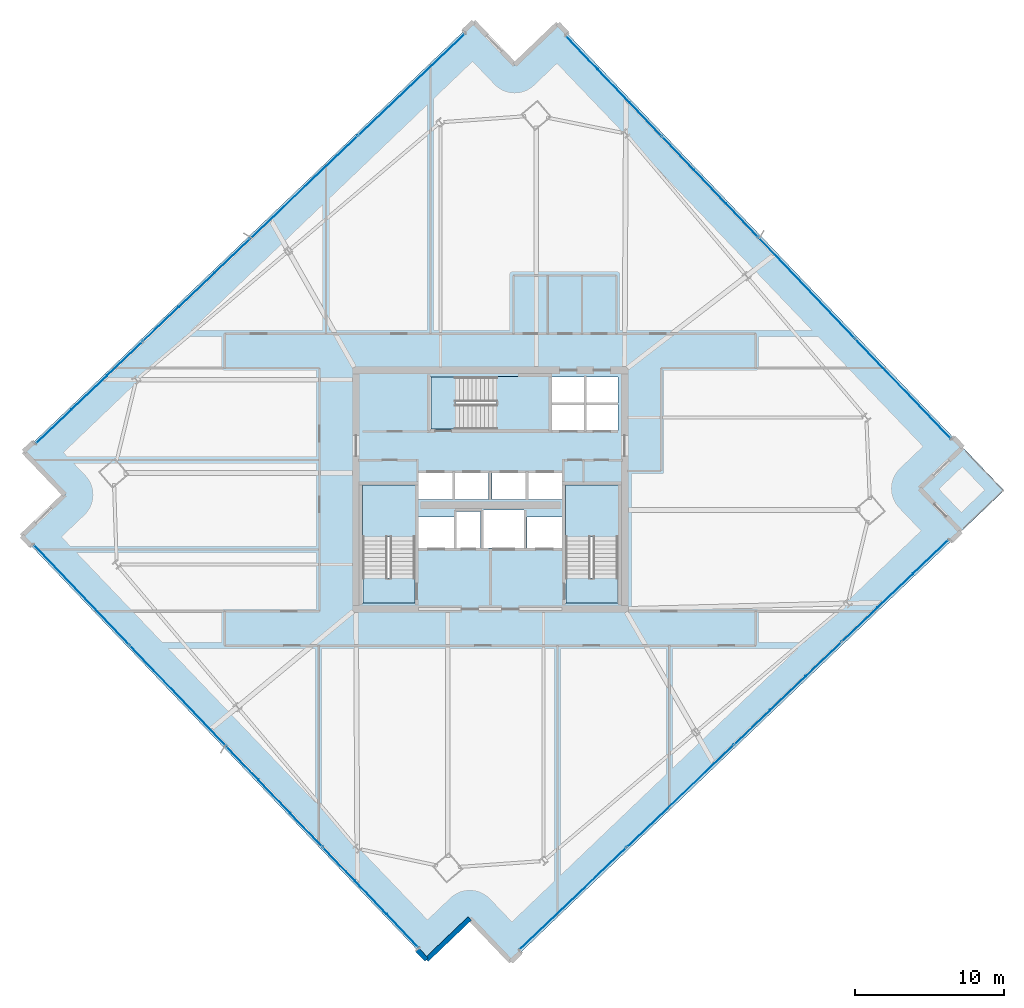
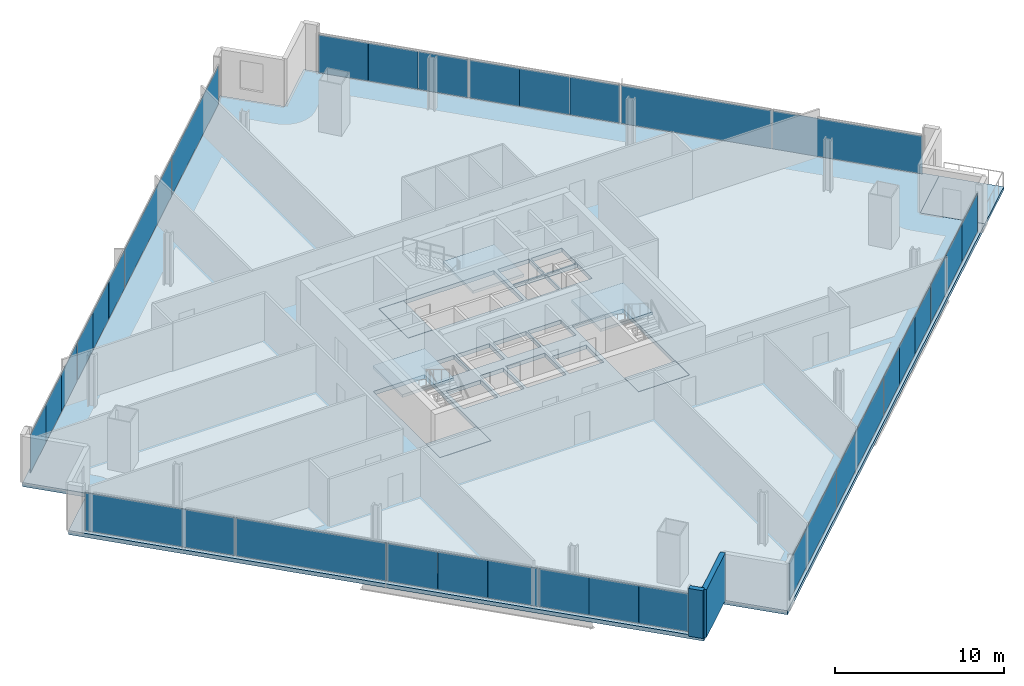
# One storey, part 24 of 33: 32 plates, 8 slabs, 2 walls, 7 elements without a shape of their own.
"""IFC4 building model written with IfcOpenShell, lengths in metres."""

from ifc_helpers import new_model, si_unit, direction, frame, frame_2d, origin, origin_2d, place, context, subcontext, project, spatial, polyline, rectangle, outline, extrude, source, transform, mapped, material, layer, layer_set, type_object, element, aggregate, save


model = new_model("IFC4")

# Units and contexts
model_context = context("Model", 3, precision=1e-05, world=origin(), true_north=direction((0.0, 1.0)))
body_context = subcontext(model_context, "Body", "Model", "MODEL_VIEW")
ifc_project = project(units=[si_unit("LENGTHUNIT", "METRE"), si_unit("AREAUNIT", "SQUARE_METRE"), si_unit("VOLUMEUNIT", "CUBIC_METRE"), si_unit("PLANEANGLEUNIT", "RADIAN"), si_unit("MASSUNIT", "GRAM", prefix="KILO")], contexts=[model_context])

# Site, building, storey
site_placement = place(None, origin())
site = spatial("IfcSite", under=ifc_project, at=site_placement, CompositionType="ELEMENT")
building_placement = place(site_placement, origin())
building = spatial("IfcBuilding", under=site, at=building_placement, Name="Haldenkirk Collegiate Tower", CompositionType="ELEMENT")
storey_placement = place(building_placement, frame((0.0, 0.0, 174.449951171875)))
storey = spatial("IfcBuildingStorey", under=building, at=storey_placement, Name="L43", CompositionType="ELEMENT", Elevation=174.449951171875)

# Slab
ifc_material_1 = material(Name="Concrete f'c 40 MPa", Category="concrete")
ifc_layer_1 = layer(ifc_material_1, 0.2900390625)
ifc_layer_set_1 = layer_set([ifc_layer_1], Name="Concrete f'c 40 MPa")
slab_type_1 = type_object("IfcSlabType", Name="SLB-FLR-290", PredefinedType="FLOOR", material=ifc_layer_set_1)
slab_1_placement = place(storey_placement, frame((0.0, 0.0, -0.2900390625)))
element("IfcSlab", 1, at=slab_1_placement, inside=storey, type_object=slab_type_1, Name="L43 composite structural floor slab", PredefinedType="FLOOR", context=body_context, shape_type="SweptSolid", body=[
    extrude(outline(polyline([(37.386474609375, -5.629638671875), (67.5341796875, 23.18017578125), (64.7705078125, 26.072021484375), (67.66259765625, 28.835693359375), (40.528076171875, 57.22998046875), (37.63623046875, 54.466552734375), (34.872802734375, 57.3583984375), (4.724853515625, 28.548583984375), (7.488525390625, 25.65673828125), (4.5966796875, 22.893310546875), (31.73095703125, -5.501220703125), (34.622802734375, -2.73779296875), (37.386474609375, -5.629638671875)]), holes=[polyline([(27.449951171875, 18.39990234375), (30.949951171875, 18.39990234375), (30.949951171875, 26.300048828125), (27.449951171875, 26.300048828125), (27.449951171875, 18.39990234375)]), polyline([(41.050048828125, 18.39990234375), (44.550048828125, 18.39990234375), (44.550048828125, 26.300048828125), (41.050048828125, 26.300048828125), (41.050048828125, 18.39990234375)]), polyline([(32.0, 30.050048828125), (39.89990234375, 30.050048828125), (39.89990234375, 33.550048828125), (32.0, 33.550048828125), (32.0, 30.050048828125)]), polyline([(33.75, 22.10009765625), (35.35009765625, 22.10009765625), (35.35009765625, 24.550048828125), (33.75, 24.550048828125), (33.75, 22.10009765625)]), polyline([(40.14990234375, 29.949951171875), (42.320068359375, 29.949951171875), (42.320068359375, 31.699951171875), (40.14990234375, 31.699951171875), (40.14990234375, 29.949951171875)]), polyline([(42.419921875, 29.949951171875), (44.550048828125, 29.949951171875), (44.550048828125, 31.699951171875), (42.419921875, 31.699951171875), (42.419921875, 29.949951171875)]), polyline([(40.14990234375, 31.800048828125), (42.320068359375, 31.800048828125), (42.320068359375, 33.550048828125), (40.14990234375, 33.550048828125), (40.14990234375, 31.800048828125)]), polyline([(42.419921875, 31.800048828125), (44.550048828125, 31.800048828125), (44.550048828125, 33.550048828125), (42.419921875, 33.550048828125), (42.419921875, 31.800048828125)]), polyline([(31.199951171875, 25.35009765625), (33.47998046875, 25.35009765625), (33.47998046875, 27.14990234375), (31.199951171875, 27.14990234375), (31.199951171875, 25.35009765625)]), polyline([(33.60009765625, 25.35009765625), (35.8798828125, 25.35009765625), (35.8798828125, 27.14990234375), (33.60009765625, 27.14990234375), (33.60009765625, 25.35009765625)]), polyline([(36.1201171875, 25.35009765625), (38.39990234375, 25.35009765625), (38.39990234375, 27.14990234375), (36.1201171875, 27.14990234375), (36.1201171875, 25.35009765625)]), polyline([(38.52001953125, 25.35009765625), (40.800048828125, 25.35009765625), (40.800048828125, 27.14990234375), (38.52001953125, 27.14990234375), (38.52001953125, 25.35009765625)]), polyline([(31.199951171875, 22.10009765625), (33.550048828125, 22.10009765625), (33.550048828125, 24.14990234375), (31.199951171875, 24.14990234375), (31.199951171875, 22.10009765625)]), polyline([(38.449951171875, 22.10009765625), (40.800048828125, 22.10009765625), (40.800048828125, 24.14990234375), (38.449951171875, 24.14990234375), (38.449951171875, 22.10009765625)]), polyline([(35.550048828125, 22.10009765625), (38.25, 22.10009765625), (38.25, 24.64990234375), (35.550048828125, 24.64990234375), (35.550048828125, 22.10009765625)])]), origin(), (0.0, 0.0, 1.0), 0.2900390625),
])

# Stair, slab
stair_type = type_object("IfcStairType", Name="STR-DOGLEG-1650", PredefinedType="HALF_TURN_STAIR", material=ifc_material_1)
stair_1_placement = place(storey_placement, origin())
stair_1 = element("IfcStair", 2, at=stair_1_placement, inside=storey, type_object=stair_type, Name="L43 Core Exit Stair ST-1", PredefinedType="HALF_TURN_STAIR")
ifc_layer_2 = layer(ifc_material_1, 0.199951171875)
ifc_layer_set_2 = layer_set([ifc_layer_2], Name="Concrete f'c 40 MPa")
slab_type_2 = type_object("IfcSlabType", Name="SLB-LANDING-200", PredefinedType="LANDING", material=ifc_layer_set_2)
slab_2_placement = place(storey_placement, frame((0.0, 0.0, 1.675048828125)))
slab_2 = element("IfcSlab", 3, at=slab_2_placement, type_object=slab_type_2, Name="ST-1 landing 1", PredefinedType="LANDING", context=body_context, shape_type="SweptSolid", body=[
    extrude(outline(polyline([(30.97509765625, 22.824951171875), (27.425048828125, 22.824951171875), (27.425048828125, 26.324951171875), (30.97509765625, 26.324951171875), (30.97509765625, 22.824951171875)])), origin(), (0.0, 0.0, 1.0), 0.199951171875),
])
aggregate(stair_1, [slab_2])

stair_2_placement = place(storey_placement, origin())
stair_2 = element("IfcStair", 4, at=stair_2_placement, inside=storey, type_object=stair_type, Name="L43 Core Exit Stair ST-2", PredefinedType="HALF_TURN_STAIR")
slab_3_placement = place(storey_placement, frame((0.0, 0.0, 1.675048828125)))
slab_3 = element("IfcSlab", 5, at=slab_3_placement, type_object=slab_type_2, Name="ST-2 landing 1", PredefinedType="LANDING", context=body_context, shape_type="SweptSolid", body=[
    extrude(outline(polyline([(44.574951171875, 22.824951171875), (41.02490234375, 22.824951171875), (41.02490234375, 26.324951171875), (44.574951171875, 26.324951171875), (44.574951171875, 22.824951171875)])), origin(), (0.0, 0.0, 1.0), 0.199951171875),
])
aggregate(stair_2, [slab_3])

stair_3_placement = place(storey_placement, origin())
stair_3 = element("IfcStair", 6, at=stair_3_placement, inside=storey, type_object=stair_type, Name="L43 Core Exit Stair ST-3", PredefinedType="HALF_TURN_STAIR")
slab_4_placement = place(storey_placement, frame((0.0, 0.0, 1.675048828125)))
slab_4 = element("IfcSlab", 7, at=slab_4_placement, type_object=slab_type_2, Name="ST-3 landing 1", PredefinedType="LANDING", context=body_context, shape_type="SweptSolid", body=[
    extrude(outline(polyline([(36.425048828125, 30.02490234375), (36.425048828125, 33.574951171875), (39.925048828125, 33.574951171875), (39.925048828125, 30.02490234375), (36.425048828125, 30.02490234375)])), origin(), (0.0, 0.0, 1.0), 0.199951171875),
])
aggregate(stair_3, [slab_4])

# Slabs
ifc_layer_3 = layer(ifc_material_1, 0.25)
ifc_layer_set_3 = layer_set([ifc_layer_3], Name="Concrete f'c 40 MPa")
slab_type_3 = type_object("IfcSlabType", Name="SLB-STAIRLAND-250", PredefinedType="LANDING", material=ifc_layer_set_3)
slab_5_placement = place(storey_placement, frame((0.0, 0.0, -0.25)))
element("IfcSlab", 8, at=slab_5_placement, inside=storey, type_object=slab_type_3, Name="L43 stair ST1 structural floor landing slab", PredefinedType="LANDING", context=body_context, shape_type="SweptSolid", body=[
    extrude(outline(polyline([(27.4599609375, 18.409912109375), (30.93994140625, 18.409912109375), (30.93994140625, 20.080078125), (27.4599609375, 20.080078125), (27.4599609375, 18.409912109375)])), origin(), (0.0, 0.0, 1.0), 0.25),
])
slab_6_placement = place(storey_placement, frame((0.0, 0.0, -0.25)))
element("IfcSlab", 9, at=slab_6_placement, inside=storey, type_object=slab_type_3, Name="L43 stair ST2 structural floor landing slab", PredefinedType="LANDING", context=body_context, shape_type="SweptSolid", body=[
    extrude(outline(polyline([(41.06005859375, 18.409912109375), (44.5400390625, 18.409912109375), (44.5400390625, 20.080078125), (41.06005859375, 20.080078125), (41.06005859375, 18.409912109375)])), origin(), (0.0, 0.0, 1.0), 0.25),
])
slab_7_placement = place(storey_placement, frame((0.0, 0.0, -0.25)))
element("IfcSlab", 10, at=slab_7_placement, inside=storey, type_object=slab_type_3, Name="L43 stair ST3 structural floor landing slab", PredefinedType="LANDING", context=body_context, shape_type="SweptSolid", body=[
    extrude(outline(polyline([(32.010009765625, 30.06005859375), (33.679931640625, 30.06005859375), (33.679931640625, 33.5400390625), (32.010009765625, 33.5400390625), (32.010009765625, 30.06005859375)])), origin(), (0.0, 0.0, 1.0), 0.25),
])
ifc_layer_4 = layer(ifc_material_1, 0.22998046875)
ifc_layer_set_4 = layer_set([ifc_layer_4], Name="Concrete f'c 40 MPa")
slab_type_4 = type_object("IfcSlabType", Name="SLB-TERR-SPIRAL-230", PredefinedType="FLOOR", material=ifc_layer_set_4)
slab_8_placement = place(storey_placement, frame((0.0, 0.0, -0.22998046875)))
element("IfcSlab", 11, at=slab_8_placement, inside=storey, type_object=slab_type_4, Name="L43 spiralling corner terrace slab", PredefinedType="FLOOR", context=body_context, shape_type="SweptSolid", body=[
    extrude(outline(polyline([(67.5341796875, 23.18017578125), (70.426025390625, 25.943603515625), (67.66259765625, 28.835693359375), (64.7705078125, 26.072021484375), (67.5341796875, 23.18017578125)])), origin(), (0.0, 0.0, 1.0), 0.22998046875),
])

# Curtain wall, plates
ifc_material_2 = material(Name="Anodised architectural bronze aluminium", Category="aluminium")
curtain_wall_type_1 = type_object("IfcCurtainWallType", Name="CW-SYS2-CONCAVE", PredefinedType="USERDEFINED", material=ifc_material_2)
curtain_wall_1_placement = place(storey_placement, origin())
curtain_wall_1 = element("IfcCurtainWall", 12, at=curtain_wall_1_placement, inside=storey, type_object=curtain_wall_type_1, Name="L43 South concave recessed bronze-anodised curtain wall", ObjectType="UNITISED CURTAIN WALL", PredefinedType="USERDEFINED")
ifc_material_3 = material(Name="Low-E argon triple insulating glass", Category="glass")
ifc_layer_5 = layer(ifc_material_3, 0.0419921875)
ifc_layer_set_5 = layer_set([ifc_layer_5], Name="Low-E argon triple insulating glass")
plate_type_1 = type_object("IfcPlateType", Name="CW-PNL-02", PredefinedType="CURTAIN_PANEL", material=ifc_layer_set_5)
shared_shape_1 = source(origin(), body_context, "Body", "SweptSolid", [
    extrude(rectangle(XDim=9.862548828125, YDim=0.0419921875, at=origin_2d()), origin(), (0.0, 0.0, 1.0), 2.760986328125),
])
plate_1_placement = place(storey_placement, frame((41.531982421875, -1.4189453125, 0.0751953125), z_axis=(0.0, 0.0, 1.0), x_axis=(-0.722966182425, -0.690883419305, 0.0)))
plate_1 = element("IfcPlate", 13, at=plate_1_placement, type_object=plate_type_1, Name="CW-02 panel 4.1", PredefinedType="CURTAIN_PANEL", context=body_context, shape_type="MappedRepresentation", body=[
    mapped(shared_shape_1, transform((0.0, 0.0, 0.0), x_axis=(1.0, 0.0, 0.0), y_axis=(0.0, 1.0, 0.0), z_axis=(0.0, 0.0, 1.0), scale=1.0)),
])
ifc_material_4 = material(Name="Bronze-anodised insulated aluminium spandrel panel", Category="aluminium")
ifc_layer_6 = layer(ifc_material_4, 0.0419921875)
ifc_layer_set_6 = layer_set([ifc_layer_6], Name="Bronze-anodised insulated aluminium spandrel panel")
plate_type_2 = type_object("IfcPlateType", Name="CW-SPD-02", PredefinedType="CURTAIN_PANEL", material=ifc_layer_set_6)
shared_shape_2 = source(origin(), body_context, "Body", "SweptSolid", [
    extrude(rectangle(XDim=3.28759765625, YDim=0.0419921875, at=origin_2d()), origin(), (0.0, 0.0, 1.0), 2.760986328125),
])
plate_2_placement = place(storey_placement, frame((58.331787109375, 14.635498046875, 0.0751953125), z_axis=(0.0, 0.0, 1.0), x_axis=(-0.722966182425, -0.690883419305, 0.0)))
plate_2 = element("IfcPlate", 14, at=plate_2_placement, type_object=plate_type_2, Name="CW-02 spandrel panel 2.1a", PredefinedType="CURTAIN_PANEL", context=body_context, shape_type="MappedRepresentation", body=[
    mapped(shared_shape_2, transform((0.0, 0.0, 0.0), x_axis=(1.0, 0.0, 0.0), y_axis=(0.0, 1.0, 0.0), z_axis=(0.0, 0.0, 1.0), scale=1.0)),
])
plate_3_placement = place(storey_placement, frame((53.55126953125, 10.06689453125, 0.0751953125), z_axis=(0.0, 0.0, 1.0), x_axis=(-0.722966182425, -0.690883419305, 0.0)))
plate_3 = element("IfcPlate", 15, at=plate_3_placement, type_object=plate_type_2, Name="CW-02 spandrel panel 2.1c", PredefinedType="CURTAIN_PANEL", context=body_context, shape_type="MappedRepresentation", body=[
    mapped(shared_shape_2, transform((0.0, 0.0, 0.0), x_axis=(1.0, 0.0, 0.0), y_axis=(0.0, 1.0, 0.0), z_axis=(0.0, 0.0, 1.0), scale=1.0)),
])
shared_shape_3 = source(origin(), body_context, "Body", "SweptSolid", [
    extrude(rectangle(XDim=3.27490234375, YDim=0.0419921875, at=origin_2d()), origin(), (0.0, 0.0, 1.0), 2.760986328125),
])
plate_4_placement = place(storey_placement, frame((65.52099609375, 21.50537109375, 0.0751953125), z_axis=(0.0, 0.0, 1.0), x_axis=(-0.722966182425, -0.690883419305, 0.0)))
plate_4 = element("IfcPlate", 16, at=plate_4_placement, type_object=plate_type_1, Name="CW-02 panel 1.1a", PredefinedType="CURTAIN_PANEL", context=body_context, shape_type="MappedRepresentation", body=[
    mapped(shared_shape_3, transform((0.0, 0.0, 0.0), x_axis=(1.0, 0.0, 0.0), y_axis=(0.0, 1.0, 0.0), z_axis=(0.0, 0.0, 1.0), scale=1.0)),
])
plate_5_placement = place(storey_placement, frame((60.75830078125, 16.9541015625, 0.0751953125), z_axis=(0.0, 0.0, 1.0), x_axis=(-0.722966182425, -0.690883419305, 0.0)))
plate_5 = element("IfcPlate", 17, at=plate_5_placement, type_object=plate_type_2, Name="CW-02 spandrel panel 1.1c", PredefinedType="CURTAIN_PANEL", context=body_context, shape_type="MappedRepresentation", body=[
    mapped(shared_shape_3, transform((0.0, 0.0, 0.0), x_axis=(1.0, 0.0, 0.0), y_axis=(0.0, 1.0, 0.0), z_axis=(0.0, 0.0, 1.0), scale=1.0)),
])
plate_6_placement = place(storey_placement, frame((55.941650390625, 12.351318359375, 0.0751953125), z_axis=(0.0, 0.0, 1.0), x_axis=(-0.722966182425, -0.690883419305, 0.0)))
plate_6 = element("IfcPlate", 18, at=plate_6_placement, type_object=plate_type_2, Name="CW-02 spandrel panel 2.1b", PredefinedType="CURTAIN_PANEL", context=body_context, shape_type="MappedRepresentation", body=[
    mapped(shared_shape_3, transform((0.0, 0.0, 0.0), x_axis=(1.0, 0.0, 0.0), y_axis=(0.0, 1.0, 0.0), z_axis=(0.0, 0.0, 1.0), scale=1.0)),
])

# Curtain wall, plate
curtain_wall_type_2 = type_object("IfcCurtainWallType", Name="CW-SYS1-CONVEX-LOW", PredefinedType="USERDEFINED", material=ifc_material_2)
curtain_wall_2_placement = place(storey_placement, origin())
curtain_wall_2 = element("IfcCurtainWall", 19, at=curtain_wall_2_placement, inside=storey, type_object=curtain_wall_type_2, Name="L43 Lower tower convex bronze-framed unitised curtain wall", ObjectType="UNITISED CURTAIN WALL", PredefinedType="USERDEFINED")
ifc_layer_7 = layer(ifc_material_3, 0.0439453125)
ifc_layer_set_7 = layer_set([ifc_layer_7], Name="Low-E argon triple insulating glass")
plate_type_3 = type_object("IfcPlateType", Name="CW-PNL-1A", PredefinedType="CURTAIN_PANEL", material=ifc_layer_set_7)
shared_shape_4 = source(origin(), body_context, "Body", "SweptSolid", [
    extrude(rectangle(XDim=9.248779296875, YDim=0.0439453125, at=origin_2d()), origin(), (0.0, 0.0, 1.0), 2.7509765625),
])
plate_7_placement = place(storey_placement, frame((63.660400390625, 32.762939453125, 0.080078125), z_axis=(0.0, 0.0, 1.0), x_axis=(0.690883405185, -0.722966195918, 0.0)))
plate_7 = element("IfcPlate", 20, at=plate_7_placement, type_object=plate_type_3, Name="CW-1A panel 4.1", PredefinedType="CURTAIN_PANEL", context=body_context, shape_type="MappedRepresentation", body=[
    mapped(shared_shape_4, transform((0.0, 0.0, 0.0), x_axis=(1.0, 0.0, 0.0), y_axis=(0.0, 1.0, 0.0), z_axis=(0.0, 0.0, 1.0), scale=1.0)),
])

curtain_wall_3_placement = place(storey_placement, origin())
curtain_wall_3 = element("IfcCurtainWall", 21, at=curtain_wall_3_placement, inside=storey, type_object=curtain_wall_type_2, Name="L43 Lower tower convex bronze-framed unitised curtain wall", ObjectType="UNITISED CURTAIN WALL", PredefinedType="USERDEFINED")
plate_8_placement = place(storey_placement, frame((8.5986328125, 18.9658203125, 0.080078125), z_axis=(0.0, 0.0, 1.0), x_axis=(-0.690882072342, 0.722967469611, 0.0)))
plate_8 = element("IfcPlate", 22, at=plate_8_placement, type_object=plate_type_3, Name="CW-1A panel 4.1", PredefinedType="CURTAIN_PANEL", context=body_context, shape_type="MappedRepresentation", body=[
    mapped(shared_shape_4, transform((0.0, 0.0, 0.0), x_axis=(1.0, 0.0, 0.0), y_axis=(0.0, 1.0, 0.0), z_axis=(0.0, 0.0, 1.0), scale=1.0)),
])

# Plate
ifc_layer_8 = layer(ifc_material_4, 0.0439453125)
ifc_layer_set_8 = layer_set([ifc_layer_8], Name="Bronze-anodised insulated aluminium spandrel panel")
plate_type_4 = type_object("IfcPlateType", Name="CW-SPD-1A", PredefinedType="CURTAIN_PANEL", material=ifc_layer_set_8)
shared_shape_5 = source(origin(), body_context, "Body", "SweptSolid", [
    extrude(rectangle(XDim=3.083740234375, YDim=0.0439453125, at=origin_2d()), origin(), (0.0, 0.0, 1.0), 2.7509765625),
])
plate_9_placement = place(storey_placement, frame((48.58544921875, 48.5380859375, 0.080078125), z_axis=(0.0, 0.0, 1.0), x_axis=(0.690883405185, -0.722966195918, 0.0)))
plate_9 = element("IfcPlate", 23, at=plate_9_placement, type_object=plate_type_4, Name="CW-1A spandrel panel 2.1a", PredefinedType="CURTAIN_PANEL", context=body_context, shape_type="MappedRepresentation", body=[
    mapped(shared_shape_5, transform((0.0, 0.0, 0.0), x_axis=(1.0, 0.0, 0.0), y_axis=(0.0, 1.0, 0.0), z_axis=(0.0, 0.0, 1.0), scale=1.0)),
])

plate_10_placement = place(storey_placement, frame((52.872314453125, 44.052001953125, 0.080078125), z_axis=(0.0, 0.0, 1.0), x_axis=(0.690883405185, -0.722966195918, 0.0)))
plate_10 = element("IfcPlate", 24, at=plate_10_placement, type_object=plate_type_4, Name="CW-1A spandrel panel 2.1c", PredefinedType="CURTAIN_PANEL", context=body_context, shape_type="MappedRepresentation", body=[
    mapped(shared_shape_5, transform((0.0, 0.0, 0.0), x_axis=(1.0, 0.0, 0.0), y_axis=(0.0, 1.0, 0.0), z_axis=(0.0, 0.0, 1.0), scale=1.0)),
])

plate_11_placement = place(storey_placement, frame((23.673583984375, 3.190673828125, 0.080078125), z_axis=(0.0, 0.0, 1.0), x_axis=(-0.690882072342, 0.722967469611, 0.0)))
plate_11 = element("IfcPlate", 25, at=plate_11_placement, type_object=plate_type_4, Name="CW-1A spandrel panel 2.1a", PredefinedType="CURTAIN_PANEL", context=body_context, shape_type="MappedRepresentation", body=[
    mapped(shared_shape_5, transform((0.0, 0.0, 0.0), x_axis=(1.0, 0.0, 0.0), y_axis=(0.0, 1.0, 0.0), z_axis=(0.0, 0.0, 1.0), scale=1.0)),
])

plate_12_placement = place(storey_placement, frame((19.38671875, 7.6767578125, 0.080078125), z_axis=(0.0, 0.0, 1.0), x_axis=(-0.690882072342, 0.722967469611, 0.0)))
plate_12 = element("IfcPlate", 26, at=plate_12_placement, type_object=plate_type_4, Name="CW-1A spandrel panel 2.1c", PredefinedType="CURTAIN_PANEL", context=body_context, shape_type="MappedRepresentation", body=[
    mapped(shared_shape_5, transform((0.0, 0.0, 0.0), x_axis=(1.0, 0.0, 0.0), y_axis=(0.0, 1.0, 0.0), z_axis=(0.0, 0.0, 1.0), scale=1.0)),
])

shared_shape_6 = source(origin(), body_context, "Body", "SweptSolid", [
    extrude(rectangle(XDim=3.0712890625, YDim=0.0439453125, at=origin_2d()), origin(), (0.0, 0.0, 1.0), 2.7509765625),
])
plate_13_placement = place(storey_placement, frame((50.728759765625, 46.295166015625, 0.080078125), z_axis=(0.0, 0.0, 1.0), x_axis=(0.690883405185, -0.722966195918, 0.0)))
plate_13 = element("IfcPlate", 27, at=plate_13_placement, type_object=plate_type_4, Name="CW-1A spandrel panel 2.1b", PredefinedType="CURTAIN_PANEL", context=body_context, shape_type="MappedRepresentation", body=[
    mapped(shared_shape_6, transform((0.0, 0.0, 0.0), x_axis=(1.0, 0.0, 0.0), y_axis=(0.0, 1.0, 0.0), z_axis=(0.0, 0.0, 1.0), scale=1.0)),
])

plate_14_placement = place(storey_placement, frame((21.5302734375, 5.433837890625, 0.080078125), z_axis=(0.0, 0.0, 1.0), x_axis=(-0.690882072342, 0.722967469611, 0.0)))
plate_14 = element("IfcPlate", 28, at=plate_14_placement, type_object=plate_type_4, Name="CW-1A spandrel panel 2.1b", PredefinedType="CURTAIN_PANEL", context=body_context, shape_type="MappedRepresentation", body=[
    mapped(shared_shape_6, transform((0.0, 0.0, 0.0), x_axis=(1.0, 0.0, 0.0), y_axis=(0.0, 1.0, 0.0), z_axis=(0.0, 0.0, 1.0), scale=1.0)),
])

# Curtain wall, plates
curtain_wall_4_placement = place(storey_placement, origin())
curtain_wall_4 = element("IfcCurtainWall", 29, at=curtain_wall_4_placement, inside=storey, type_object=curtain_wall_type_2, Name="L43 Lower tower convex bronze-framed unitised curtain wall", ObjectType="UNITISED CURTAIN WALL", PredefinedType="USERDEFINED")
shared_shape_7 = source(origin(), body_context, "Body", "SweptSolid", [
    extrude(rectangle(XDim=9.85498046875, YDim=0.0439453125, at=origin_2d()), origin(), (0.0, 0.0, 1.0), 2.7509765625),
])
plate_15_placement = place(storey_placement, frame((30.72607421875, 53.14697265625, 0.080078125), z_axis=(0.0, 0.0, 1.0), x_axis=(0.722967378717, 0.690882167458, 0.0)))
plate_15 = element("IfcPlate", 30, at=plate_15_placement, type_object=plate_type_3, Name="CW-1A panel 4.1", PredefinedType="CURTAIN_PANEL", context=body_context, shape_type="MappedRepresentation", body=[
    mapped(shared_shape_7, transform((0.0, 0.0, 0.0), x_axis=(1.0, 0.0, 0.0), y_axis=(0.0, 1.0, 0.0), z_axis=(0.0, 0.0, 1.0), scale=1.0)),
])
shared_shape_8 = source(origin(), body_context, "Body", "SweptSolid", [
    extrude(rectangle(XDim=3.285888671875, YDim=0.0439453125, at=origin_2d()), origin(), (0.0, 0.0, 1.0), 2.7509765625),
])
plate_16_placement = place(storey_placement, frame((13.92822265625, 37.094482421875, 0.080078125), z_axis=(0.0, 0.0, 1.0), x_axis=(0.722967378717, 0.690882167458, 0.0)))
plate_16 = element("IfcPlate", 31, at=plate_16_placement, type_object=plate_type_4, Name="CW-1A spandrel panel 2.1a", PredefinedType="CURTAIN_PANEL", context=body_context, shape_type="MappedRepresentation", body=[
    mapped(shared_shape_8, transform((0.0, 0.0, 0.0), x_axis=(1.0, 0.0, 0.0), y_axis=(0.0, 1.0, 0.0), z_axis=(0.0, 0.0, 1.0), scale=1.0)),
])
plate_17_placement = place(storey_placement, frame((18.70654296875, 41.660888671875, 0.080078125), z_axis=(0.0, 0.0, 1.0), x_axis=(0.722967378717, 0.690882167458, 0.0)))
plate_17 = element("IfcPlate", 32, at=plate_17_placement, type_object=plate_type_4, Name="CW-1A spandrel panel 2.1c", PredefinedType="CURTAIN_PANEL", context=body_context, shape_type="MappedRepresentation", body=[
    mapped(shared_shape_8, transform((0.0, 0.0, 0.0), x_axis=(1.0, 0.0, 0.0), y_axis=(0.0, 1.0, 0.0), z_axis=(0.0, 0.0, 1.0), scale=1.0)),
])
shared_shape_9 = source(origin(), body_context, "Body", "SweptSolid", [
    extrude(rectangle(XDim=3.273193359375, YDim=0.0439453125, at=origin_2d()), origin(), (0.0, 0.0, 1.0), 2.7509765625),
])
plate_18_placement = place(storey_placement, frame((16.3173828125, 39.377685546875, 0.080078125), z_axis=(0.0, 0.0, 1.0), x_axis=(0.722967378717, 0.690882167458, 0.0)))
plate_18 = element("IfcPlate", 33, at=plate_18_placement, type_object=plate_type_4, Name="CW-1A spandrel panel 2.1b", PredefinedType="CURTAIN_PANEL", context=body_context, shape_type="MappedRepresentation", body=[
    mapped(shared_shape_9, transform((0.0, 0.0, 0.0), x_axis=(1.0, 0.0, 0.0), y_axis=(0.0, 1.0, 0.0), z_axis=(0.0, 0.0, 1.0), scale=1.0)),
])

# Plate
shared_shape_10 = source(origin(), body_context, "Body", "SweptSolid", [
    extrude(rectangle(XDim=9.89990234375, YDim=0.0419921875, at=origin_2d()), origin(), (0.0, 0.0, 1.0), 2.760986328125),
])
plate_19_placement = place(storey_placement, frame((48.72998046875, 5.459716796875, 0.0751953125), z_axis=(0.0, 0.0, 1.0), x_axis=(-0.722966182425, -0.690883419305, 0.0)))
plate_19 = element("IfcPlate", 34, at=plate_19_placement, type_object=plate_type_1, Name="CW-02 panel 3.1", PredefinedType="CURTAIN_PANEL", context=body_context, shape_type="MappedRepresentation", body=[
    mapped(shared_shape_10, transform((0.0, 0.0, 0.0), x_axis=(1.0, 0.0, 0.0), y_axis=(0.0, 1.0, 0.0), z_axis=(0.0, 0.0, 1.0), scale=1.0)),
])

shared_shape_11 = source(origin(), body_context, "Body", "SweptSolid", [
    extrude(rectangle(XDim=9.288818359375, YDim=0.0439453125, at=origin_2d()), origin(), (0.0, 0.0, 1.0), 2.7509765625),
])
plate_20_placement = place(storey_placement, frame((57.20166015625, 39.521728515625, 0.080078125), z_axis=(0.0, 0.0, 1.0), x_axis=(0.690883405185, -0.722966195918, 0.0)))
plate_20 = element("IfcPlate", 35, at=plate_20_placement, type_object=plate_type_3, Name="CW-1A panel 3.1", PredefinedType="CURTAIN_PANEL", context=body_context, shape_type="MappedRepresentation", body=[
    mapped(shared_shape_11, transform((0.0, 0.0, 0.0), x_axis=(1.0, 0.0, 0.0), y_axis=(0.0, 1.0, 0.0), z_axis=(0.0, 0.0, 1.0), scale=1.0)),
])

plate_21_placement = place(storey_placement, frame((15.0576171875, 12.20703125, 0.080078125), z_axis=(0.0, 0.0, 1.0), x_axis=(-0.690882072342, 0.722967469611, 0.0)))
plate_21 = element("IfcPlate", 36, at=plate_21_placement, type_object=plate_type_3, Name="CW-1A panel 3.1", PredefinedType="CURTAIN_PANEL", context=body_context, shape_type="MappedRepresentation", body=[
    mapped(shared_shape_11, transform((0.0, 0.0, 0.0), x_axis=(1.0, 0.0, 0.0), y_axis=(0.0, 1.0, 0.0), z_axis=(0.0, 0.0, 1.0), scale=1.0)),
])

shared_shape_12 = source(origin(), body_context, "Body", "SweptSolid", [
    extrude(rectangle(XDim=9.89501953125, YDim=0.0439453125, at=origin_2d()), origin(), (0.0, 0.0, 1.0), 2.7509765625),
])
plate_22_placement = place(storey_placement, frame((23.529052734375, 46.269287109375, 0.080078125), z_axis=(0.0, 0.0, 1.0), x_axis=(0.722967378717, 0.690882167458, 0.0)))
plate_22 = element("IfcPlate", 37, at=plate_22_placement, type_object=plate_type_3, Name="CW-1A panel 3.1", PredefinedType="CURTAIN_PANEL", context=body_context, shape_type="MappedRepresentation", body=[
    mapped(shared_shape_12, transform((0.0, 0.0, 0.0), x_axis=(1.0, 0.0, 0.0), y_axis=(0.0, 1.0, 0.0), z_axis=(0.0, 0.0, 1.0), scale=1.0)),
])

shared_shape_13 = source(origin(), body_context, "Body", "SweptSolid", [
    extrude(rectangle(XDim=3.262451171875, YDim=0.0419921875, at=origin_2d()), origin(), (0.0, 0.0, 1.0), 2.760986328125),
])
plate_23_placement = place(storey_placement, frame((63.1396484375, 19.229736328125, 0.0751953125), z_axis=(0.0, 0.0, 1.0), x_axis=(-0.722966182425, -0.690883419305, 0.0)))
plate_23 = element("IfcPlate", 38, at=plate_23_placement, type_object=plate_type_1, Name="CW-02 panel 1.1b", PredefinedType="CURTAIN_PANEL", context=body_context, shape_type="MappedRepresentation", body=[
    mapped(shared_shape_13, transform((0.0, 0.0, 0.0), x_axis=(1.0, 0.0, 0.0), y_axis=(0.0, 1.0, 0.0), z_axis=(0.0, 0.0, 1.0), scale=1.0)),
])

aggregate(curtain_wall_1, [plate_4, plate_23, plate_5, plate_2, plate_6, plate_3, plate_19, plate_1])

shared_shape_14 = source(origin(), body_context, "Body", "SweptSolid", [
    extrude(rectangle(XDim=3.0703125, YDim=0.0439453125, at=origin_2d()), origin(), (0.0, 0.0, 1.0), 2.7509765625),
])
plate_24_placement = place(storey_placement, frame((42.1357421875, 55.287353515625, 0.080078125), z_axis=(0.0, 0.0, 1.0), x_axis=(0.690883405185, -0.722966195918, 0.0)))
plate_24 = element("IfcPlate", 39, at=plate_24_placement, type_object=plate_type_3, Name="CW-1A panel 1.1a", PredefinedType="CURTAIN_PANEL", context=body_context, shape_type="MappedRepresentation", body=[
    mapped(shared_shape_14, transform((0.0, 0.0, 0.0), x_axis=(1.0, 0.0, 0.0), y_axis=(0.0, 1.0, 0.0), z_axis=(0.0, 0.0, 1.0), scale=1.0)),
])

plate_25_placement = place(storey_placement, frame((46.404296875, 50.820556640625, 0.080078125), z_axis=(0.0, 0.0, 1.0), x_axis=(0.690883405185, -0.722966195918, 0.0)))
plate_25 = element("IfcPlate", 40, at=plate_25_placement, type_object=plate_type_4, Name="CW-1A spandrel panel 1.1c", PredefinedType="CURTAIN_PANEL", context=body_context, shape_type="MappedRepresentation", body=[
    mapped(shared_shape_14, transform((0.0, 0.0, 0.0), x_axis=(1.0, 0.0, 0.0), y_axis=(0.0, 1.0, 0.0), z_axis=(0.0, 0.0, 1.0), scale=1.0)),
])

plate_26_placement = place(storey_placement, frame((30.123291015625, -3.55859375, 0.080078125), z_axis=(0.0, 0.0, 1.0), x_axis=(-0.690882072342, 0.722967469611, 0.0)))
plate_26 = element("IfcPlate", 41, at=plate_26_placement, type_object=plate_type_3, Name="CW-1A panel 1.1a", PredefinedType="CURTAIN_PANEL", context=body_context, shape_type="MappedRepresentation", body=[
    mapped(shared_shape_14, transform((0.0, 0.0, 0.0), x_axis=(1.0, 0.0, 0.0), y_axis=(0.0, 1.0, 0.0), z_axis=(0.0, 0.0, 1.0), scale=1.0)),
])

plate_27_placement = place(storey_placement, frame((25.85498046875, 0.908203125, 0.080078125), z_axis=(0.0, 0.0, 1.0), x_axis=(-0.690882072342, 0.722967469611, 0.0)))
plate_27 = element("IfcPlate", 42, at=plate_27_placement, type_object=plate_type_4, Name="CW-1A spandrel panel 1.1c", PredefinedType="CURTAIN_PANEL", context=body_context, shape_type="MappedRepresentation", body=[
    mapped(shared_shape_14, transform((0.0, 0.0, 0.0), x_axis=(1.0, 0.0, 0.0), y_axis=(0.0, 1.0, 0.0), z_axis=(0.0, 0.0, 1.0), scale=1.0)),
])

shared_shape_15 = source(origin(), body_context, "Body", "SweptSolid", [
    extrude(rectangle(XDim=3.057861328125, YDim=0.0439453125, at=origin_2d()), origin(), (0.0, 0.0, 1.0), 2.7509765625),
])
plate_28_placement = place(storey_placement, frame((44.27001953125, 53.053955078125, 0.080078125), z_axis=(0.0, 0.0, 1.0), x_axis=(0.690883405185, -0.722966195918, 0.0)))
plate_28 = element("IfcPlate", 43, at=plate_28_placement, type_object=plate_type_3, Name="CW-1A panel 1.1b", PredefinedType="CURTAIN_PANEL", context=body_context, shape_type="MappedRepresentation", body=[
    mapped(shared_shape_15, transform((0.0, 0.0, 0.0), x_axis=(1.0, 0.0, 0.0), y_axis=(0.0, 1.0, 0.0), z_axis=(0.0, 0.0, 1.0), scale=1.0)),
])

aggregate(curtain_wall_2, [plate_24, plate_28, plate_25, plate_9, plate_13, plate_10, plate_20, plate_7])

plate_29_placement = place(storey_placement, frame((27.989013671875, -1.3251953125, 0.080078125), z_axis=(0.0, 0.0, 1.0), x_axis=(-0.690882072342, 0.722967469611, 0.0)))
plate_29 = element("IfcPlate", 44, at=plate_29_placement, type_object=plate_type_3, Name="CW-1A panel 1.1b", PredefinedType="CURTAIN_PANEL", context=body_context, shape_type="MappedRepresentation", body=[
    mapped(shared_shape_15, transform((0.0, 0.0, 0.0), x_axis=(1.0, 0.0, 0.0), y_axis=(0.0, 1.0, 0.0), z_axis=(0.0, 0.0, 1.0), scale=1.0)),
])

aggregate(curtain_wall_3, [plate_26, plate_29, plate_27, plate_11, plate_14, plate_12, plate_21, plate_8])

shared_shape_16 = source(origin(), body_context, "Body", "SweptSolid", [
    extrude(rectangle(XDim=3.2724609375, YDim=0.0439453125, at=origin_2d()), origin(), (0.0, 0.0, 1.0), 2.7509765625),
])
plate_30_placement = place(storey_placement, frame((6.74072265625, 30.22607421875, 0.080078125), z_axis=(0.0, 0.0, 1.0), x_axis=(0.722967378717, 0.690882167458, 0.0)))
plate_30 = element("IfcPlate", 45, at=plate_30_placement, type_object=plate_type_3, Name="CW-1A panel 1.1a", PredefinedType="CURTAIN_PANEL", context=body_context, shape_type="MappedRepresentation", body=[
    mapped(shared_shape_16, transform((0.0, 0.0, 0.0), x_axis=(1.0, 0.0, 0.0), y_axis=(0.0, 1.0, 0.0), z_axis=(0.0, 0.0, 1.0), scale=1.0)),
])

plate_31_placement = place(storey_placement, frame((11.499755859375, 34.77392578125, 0.080078125), z_axis=(0.0, 0.0, 1.0), x_axis=(0.722967378717, 0.690882167458, 0.0)))
plate_31 = element("IfcPlate", 46, at=plate_31_placement, type_object=plate_type_4, Name="CW-1A spandrel panel 1.1c", PredefinedType="CURTAIN_PANEL", context=body_context, shape_type="MappedRepresentation", body=[
    mapped(shared_shape_16, transform((0.0, 0.0, 0.0), x_axis=(1.0, 0.0, 0.0), y_axis=(0.0, 1.0, 0.0), z_axis=(0.0, 0.0, 1.0), scale=1.0)),
])

shared_shape_17 = source(origin(), body_context, "Body", "SweptSolid", [
    extrude(rectangle(XDim=3.260009765625, YDim=0.0439453125, at=origin_2d()), origin(), (0.0, 0.0, 1.0), 2.7509765625),
])
plate_32_placement = place(storey_placement, frame((9.120361328125, 32.5, 0.080078125), z_axis=(0.0, 0.0, 1.0), x_axis=(0.722967378717, 0.690882167458, 0.0)))
plate_32 = element("IfcPlate", 47, at=plate_32_placement, type_object=plate_type_3, Name="CW-1A panel 1.1b", PredefinedType="CURTAIN_PANEL", context=body_context, shape_type="MappedRepresentation", body=[
    mapped(shared_shape_17, transform((0.0, 0.0, 0.0), x_axis=(1.0, 0.0, 0.0), y_axis=(0.0, 1.0, 0.0), z_axis=(0.0, 0.0, 1.0), scale=1.0)),
])

aggregate(curtain_wall_4, [plate_30, plate_32, plate_31, plate_16, plate_18, plate_17, plate_22, plate_15])

# Walls
ifc_material_5 = material(Name="Precast concrete f'c 40 MPa", Category="concrete")
ifc_layer_9 = layer(ifc_material_5, 0.320068359375)
ifc_layer_set_9 = layer_set([ifc_layer_9], Name="Precast concrete f'c 40 MPa")
wall_type = type_object("IfcWallType", Name="WL-EXT-TWR-320", PredefinedType="STANDARD", material=ifc_layer_set_9)
wall_1_placement = place(storey_placement, frame((31.73095703125, -5.501220703125, 0.0), z_axis=(0.0, 0.0, 1.0), x_axis=(-0.690920789475, 0.722930468767, 0.0)))
element("IfcWall", 48, at=wall_1_placement, inside=storey, type_object=wall_type, Name="L43 precast corner pier WL", PredefinedType="STANDARD", context=body_context, shape_type="SweptSolid", body=[
    extrude(rectangle(XDim=0.89990234375, YDim=0.320068359375, at=frame_2d((0.449951171875, 0.0))), origin(), (0.0, 0.0, 1.0), 3.4599609375),
])
wall_2_placement = place(storey_placement, frame((34.622802734375, -2.73779296875, 0.0), z_axis=(0.0, 0.0, 1.0), x_axis=(-0.722977141356, -0.690871951288, 0.0)))
element("IfcWall", 49, at=wall_2_placement, inside=storey, type_object=wall_type, Name="L43 bronze precast notch wall 11", PredefinedType="STANDARD", context=body_context, shape_type="SweptSolid", body=[
    extrude(rectangle(XDim=4.0, YDim=0.320068359375, at=frame_2d((2.0, 0.0))), origin(), (0.0, 0.0, 1.0), 3.4599609375),
])

save(model, "model.ifc")
